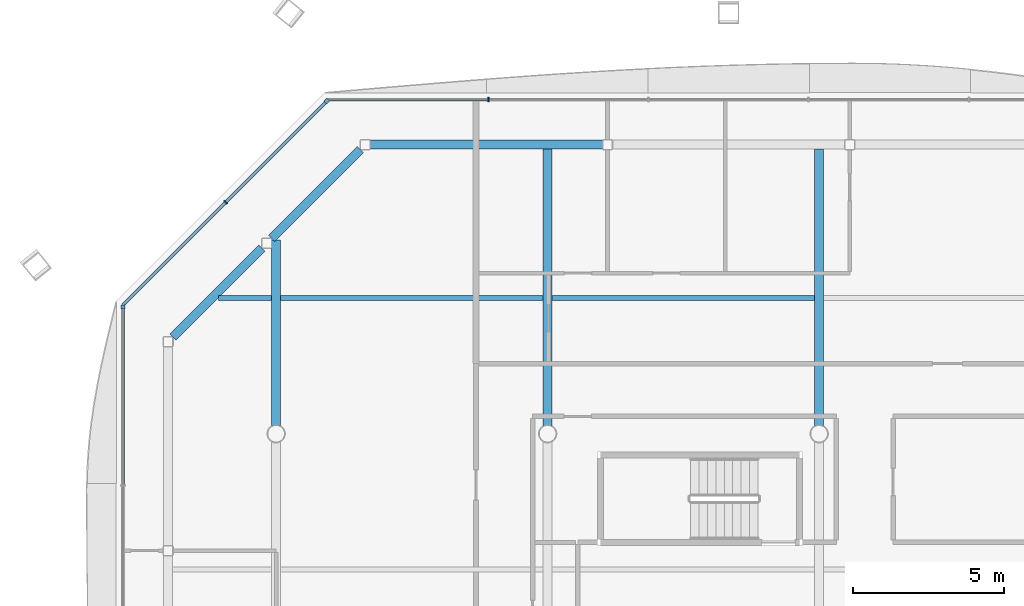
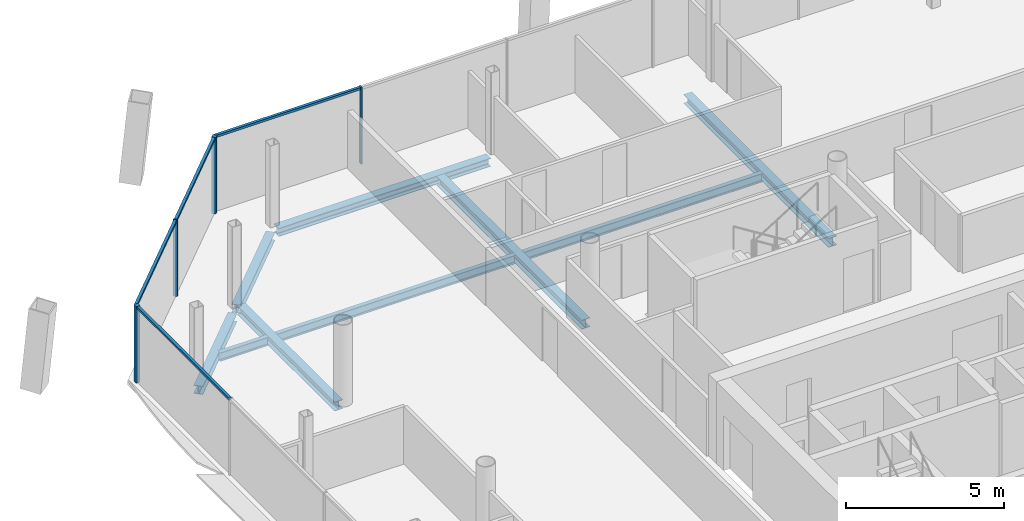
# One storey, part 10 of 20: 9 beams, 8 members, 3 elements without a shape of their own.
"""IFC4 building model written with IfcOpenShell, lengths in metres."""

from ifc_helpers import new_model, si_unit, direction, frame, origin, origin_2d, place, context, subcontext, project, spatial, rectangle, i_section, extrude, material, material_profile, profile_set, type_object, element, aggregate, save


model = new_model("IFC4")

# Units and contexts
model_context = context("Model", 3, precision=1e-05, world=origin(), true_north=direction((0.0, 1.0)))
body_context = subcontext(model_context, "Body", "Model", "MODEL_VIEW")
ifc_project = project(units=[si_unit("LENGTHUNIT", "METRE"), si_unit("AREAUNIT", "SQUARE_METRE"), si_unit("VOLUMEUNIT", "CUBIC_METRE"), si_unit("PLANEANGLEUNIT", "RADIAN"), si_unit("MASSUNIT", "GRAM", prefix="KILO")], contexts=[model_context])

# Site, building, storey
site_placement = place(None, origin())
site = spatial("IfcSite", under=ifc_project, at=site_placement, CompositionType="ELEMENT")
building_placement = place(site_placement, origin())
building = spatial("IfcBuilding", under=site, at=building_placement, Name="Tskaro Facet Tower", CompositionType="ELEMENT")
storey_placement = place(building_placement, frame((0.0, 0.0, 194.25)))
storey = spatial("IfcBuildingStorey", under=building, at=storey_placement, Name="L49", CompositionType="ELEMENT", Elevation=194.25)

# Curtain wall, member
ifc_material_1 = material(Name="Bronze anodised aluminium 6063-T6", Category="aluminium")
curtain_wall_type = type_object("IfcCurtainWallType", Name="Bronze residence curtain wall (FW3)", PredefinedType="NOTDEFINED", material=ifc_material_1)
curtain_wall_1_placement = place(storey_placement, origin())
curtain_wall_1 = element("IfcCurtainWall", 1, at=curtain_wall_1_placement, inside=storey, type_object=curtain_wall_type, Name="FW3 north-west facet L49", PredefinedType="NOTDEFINED")
ifc_material_profile_1 = material_profile(ifc_material_1, rectangle(XDim=0.139892578125, YDim=0.139892578125, at=origin_2d()), Name="Corner post 140x140")
ifc_profile_set_1 = profile_set([ifc_material_profile_1], Name="Bronze anodised aluminium 6063-T6")
member_type_1 = type_object("IfcMemberType", Name="FW3 bronze corner post 140x140", PredefinedType="MULLION", material=ifc_profile_set_1)
member_1_placement = place(storey_placement, frame((-16.319580078125, 20.030517578125, 0.0), z_axis=(0.0, 0.0, 1.0), x_axis=(-0.707106781187, -0.707106781187, 0.0)))
member_1 = element("IfcMember", 2, at=member_1_placement, type_object=member_type_1, Name="FW3 north-west corner post", PredefinedType="MULLION", context=body_context, shape_type="SweptSolid", body=[
    extrude(rectangle(XDim=0.139892578125, YDim=0.139892578125, at=origin_2d()), origin(), (0.0, 0.0, 1.0), 2.949951171875),
])

curtain_wall_2_placement = place(storey_placement, origin())
curtain_wall_2 = element("IfcCurtainWall", 3, at=curtain_wall_2_placement, inside=storey, type_object=curtain_wall_type, Name="FW3 west facet L49", PredefinedType="NOTDEFINED")
member_2_placement = place(storey_placement, frame((-23.080078125, 13.199951171875, 0.0), z_axis=(0.0, 0.0, 1.0), x_axis=(0.0, -1.0, 0.0)))
member_2 = element("IfcMember", 4, at=member_2_placement, type_object=member_type_1, Name="FW3 west corner post", PredefinedType="MULLION", context=body_context, shape_type="SweptSolid", body=[
    extrude(rectangle(XDim=0.139892578125, YDim=0.139892578125, at=origin_2d()), origin(), (0.0, 0.0, 1.0), 2.949951171875),
])

curtain_wall_3_placement = place(storey_placement, origin())
curtain_wall_3 = element("IfcCurtainWall", 5, at=curtain_wall_3_placement, inside=storey, type_object=curtain_wall_type, Name="FW3 north facet L49", PredefinedType="NOTDEFINED")
ifc_material_profile_2 = material_profile(ifc_material_1, rectangle(XDim=0.050048828125, YDim=0.139892578125, at=origin_2d()), Name="Mullion 50x140")
ifc_profile_set_2 = profile_set([ifc_material_profile_2], Name="Bronze anodised aluminium 6063-T6")
member_type_2 = type_object("IfcMemberType", Name="FW3 bronze mullion 50x140", PredefinedType="MULLION", material=ifc_profile_set_2)
member_3_placement = place(storey_placement, frame((-10.9619140625, 20.080078125, 0.0), z_axis=(0.0, 0.0, 1.0), x_axis=(-1.0, 0.0, 0.0)))
member_3 = element("IfcMember", 6, at=member_3_placement, type_object=member_type_2, Name="FW3 north mullion 4", PredefinedType="MULLION", context=body_context, shape_type="SweptSolid", body=[
    extrude(rectangle(XDim=0.050048828125, YDim=0.139892578125, at=origin_2d()), origin(), (0.0, 0.0, 1.0), 2.949951171875),
])

# Member
member_4_placement = place(storey_placement, frame((-19.675048828125, 16.675048828125, 0.0), z_axis=(0.0, 0.0, 1.0), x_axis=(-0.707106781187, -0.707106781187, 0.0)))
member_4 = element("IfcMember", 7, at=member_4_placement, type_object=member_type_2, Name="FW3 north-west mullion 1", PredefinedType="MULLION", context=body_context, shape_type="SweptSolid", body=[
    extrude(rectangle(XDim=0.050048828125, YDim=0.139892578125, at=origin_2d()), origin(), (0.0, 0.0, 1.0), 2.949951171875),
])

ifc_material_profile_3 = material_profile(ifc_material_1, rectangle(XDim=0.10009765625, YDim=0.090087890625, at=origin_2d()), Name="Transom 100x90")
ifc_profile_set_3 = profile_set([ifc_material_profile_3], Name="Bronze anodised aluminium 6063-T6")
member_type_3 = type_object("IfcMemberType", Name="FW3 bronze transom 100x90", PredefinedType="USERDEFINED", material=ifc_profile_set_3)
member_5_placement = place(storey_placement, frame((-10.987060546875, 20.080078125, 2.905029296875), z_axis=(-1.0, 0.0, 0.0), x_axis=(0.0, -1.0, 0.0)))
member_5 = element("IfcMember", 8, at=member_5_placement, type_object=member_type_3, Name="FW3 north transom 5.1", ObjectType="TRANSOM", PredefinedType="USERDEFINED", context=body_context, shape_type="SweptSolid", body=[
    extrude(rectangle(XDim=0.10009765625, YDim=0.090087890625, at=origin_2d()), origin(), (0.0, 0.0, 1.0), 5.282958984375),
])

aggregate(curtain_wall_3, [member_3, member_5])

member_6_placement = place(storey_placement, frame((-16.368896484375, 19.98095703125, 2.905029296875), z_axis=(-0.707106781187, -0.707106781187, 0.0), x_axis=(0.707106781187, -0.707106781187, 0.0)))
member_6 = element("IfcMember", 9, at=member_6_placement, type_object=member_type_3, Name="FW3 north-west transom 1.1", ObjectType="TRANSOM", PredefinedType="USERDEFINED", context=body_context, shape_type="SweptSolid", body=[
    extrude(rectangle(XDim=0.10009765625, YDim=0.090087890625, at=origin_2d()), origin(), (0.0, 0.0, 1.0), 4.650390625),
])

member_7_placement = place(storey_placement, frame((-19.692626953125, 16.6572265625, 2.905029296875), z_axis=(-0.707132262971, -0.707081298484, 0.0), x_axis=(0.707081298484, -0.707132262971, 0.0)))
member_7 = element("IfcMember", 10, at=member_7_placement, type_object=member_type_3, Name="FW3 north-west transom 2.1", ObjectType="TRANSOM", PredefinedType="USERDEFINED", context=body_context, shape_type="SweptSolid", body=[
    extrude(rectangle(XDim=0.10009765625, YDim=0.090087890625, at=origin_2d()), origin(), (0.0, 0.0, 1.0), 4.79052734375),
])

aggregate(curtain_wall_1, [member_1, member_4, member_6, member_7])

member_8_placement = place(storey_placement, frame((-23.080078125, 13.1298828125, 2.905029296875), z_axis=(0.0, -1.0, 0.0), x_axis=(1.0, 0.0, 0.0)))
member_8 = element("IfcMember", 11, at=member_8_placement, type_object=member_type_3, Name="FW3 west transom 1.1", ObjectType="TRANSOM", PredefinedType="USERDEFINED", context=body_context, shape_type="SweptSolid", body=[
    extrude(rectangle(XDim=0.10009765625, YDim=0.090087890625, at=origin_2d()), origin(), (0.0, 0.0, 1.0), 5.8125),
])

aggregate(curtain_wall_2, [member_2, member_8])

# Beams
ifc_material_2 = material(Name="Steel S355J2", Category="steel")
ifc_material_profile_4 = material_profile(ifc_material_2, i_section(OverallWidth=0.300048828125, OverallDepth=0.320068359375, WebThickness=0.011474609375, FlangeThickness=0.0205078125, FilletRadius=0.027099609375, at=origin_2d()), Name="HE 320 B")
ifc_profile_set_4 = profile_set([ifc_material_profile_4], Name="Steel S355J2")
beam_type_1 = type_object("IfcBeamType", Name="HE 320 B ring beam", PredefinedType="BEAM", material=ifc_profile_set_4)
beam_1_placement = place(storey_placement, frame((-7.169921875, 18.5830078125, -0.300048828125), z_axis=(-1.0, 0.0, 0.0), x_axis=(0.0, -1.0, 0.0)))
element("IfcBeam", 12, at=beam_1_placement, inside=storey, type_object=beam_type_1, Name="HE 320 B EB14-4", PredefinedType="BEAM", context=body_context, shape_type="SweptSolid", body=[
    extrude(i_section(OverallWidth=0.300048828125, OverallDepth=0.320068359375, WebThickness=0.011474609375, FlangeThickness=0.0205078125, FilletRadius=0.027099609375, at=origin_2d()), origin(), (0.0, 0.0, 1.0), 7.72119140625),
])
for number, where, z_axis, x_axis, name in (
    (13, (-15.206787109375, 18.422119140625, -0.300048828125), (-0.706989603829, -0.70722393913, 0.0), (0.70722393913, -0.706989603829, 0.0), "HE 320 B EB15-4"),
    (14, (-18.474853515625, 15.153076171875, -0.300048828125), (-0.70722393913, -0.706989603829, 0.0), (0.706989603829, -0.70722393913, 0.0), "HE 320 B EB16-4"),
):
    element("IfcBeam", number, at=place(storey_placement, frame(where, z_axis=z_axis, x_axis=x_axis)), inside=storey, type_object=beam_type_1, Name=name, PredefinedType="BEAM", context=body_context, shape_type="SweptSolid", body=[
        extrude(i_section(OverallWidth=0.300048828125, OverallDepth=0.320068359375, WebThickness=0.011474609375, FlangeThickness=0.0205078125, FilletRadius=0.027099609375, at=origin_2d()), origin(), (0.0, 0.0, 1.0), 4.16748046875),
    ])
ifc_material_profile_5 = material_profile(ifc_material_2, i_section(OverallWidth=0.300048828125, OverallDepth=0.35009765625, WebThickness=0.010009765625, FlangeThickness=0.017578125, FilletRadius=0.027099609375, at=origin_2d()), Name="HE 360 A")
ifc_profile_set_5 = profile_set([ifc_material_profile_5], Name="Steel S355J2")
beam_type_2 = type_object("IfcBeamType", Name="HE 360 A girder", PredefinedType="BEAM", material=ifc_profile_set_5)
beam_2_placement = place(storey_placement, frame((-18.0, 9.27490234375, -0.31494140625), z_axis=(0.0, 1.0, 0.0), x_axis=(-1.0, 0.0, 0.0)))
element("IfcBeam", 15, at=beam_2_placement, inside=storey, type_object=beam_type_2, Name="HE 360 A GB2-4-4", PredefinedType="BEAM", context=body_context, shape_type="SweptSolid", body=[
    extrude(i_section(OverallWidth=0.300048828125, OverallDepth=0.35009765625, WebThickness=0.010009765625, FlangeThickness=0.017578125, FilletRadius=0.027099609375, at=origin_2d()), origin(), (0.0, 0.0, 1.0), 6.14208984375),
])
for number, where, z_axis, x_axis, name in (
    (16, (-9.0, 9.27490234375, -0.31494140625), (0.0, 1.0, 0.0), (-1.0, 0.0, 0.0), "HE 360 A GB3-3-4"),
    (17, (0.0, 9.27490234375, -0.31494140625), (0.0, 1.0, 0.0), (-1.0, 0.0, 0.0), "HE 360 A GB4-3-4"),
):
    element("IfcBeam", number, at=place(storey_placement, frame(where, z_axis=z_axis, x_axis=x_axis)), inside=storey, type_object=beam_type_2, Name=name, PredefinedType="BEAM", context=body_context, shape_type="SweptSolid", body=[
        extrude(i_section(OverallWidth=0.300048828125, OverallDepth=0.35009765625, WebThickness=0.010009765625, FlangeThickness=0.017578125, FilletRadius=0.027099609375, at=origin_2d()), origin(), (0.0, 0.0, 1.0), 9.158203125),
    ])
ifc_material_profile_6 = material_profile(ifc_material_2, i_section(OverallWidth=0.159912109375, OverallDepth=0.330078125, WebThickness=0.007568359375, FlangeThickness=0.011474609375, FilletRadius=0.01806640625, at=origin_2d()), Name="IPE 330")
ifc_profile_set_6 = profile_set([ifc_material_profile_6], Name="Steel S355J2")
beam_type_3 = type_object("IfcBeamType", Name="IPE 330 secondary beam", PredefinedType="BEAM", material=ifc_profile_set_6)
beam_3_placement = place(storey_placement, frame((-19.9169921875, 13.5, -0.304931640625), z_axis=(1.0, 0.0, 0.0), x_axis=(0.0, 1.0, 0.0)))
element("IfcBeam", 18, at=beam_3_placement, inside=storey, type_object=beam_type_3, Name="IPE 330 SB5a-1-4", PredefinedType="BEAM", context=body_context, shape_type="SweptSolid", body=[
    extrude(i_section(OverallWidth=0.159912109375, OverallDepth=0.330078125, WebThickness=0.007568359375, FlangeThickness=0.011474609375, FilletRadius=0.01806640625, at=origin_2d()), origin(), (0.0, 0.0, 1.0), 1.76708984375),
])
for number, where, z_axis, x_axis, name in (
    (19, (-17.85009765625, 13.5, -0.304931640625), (1.0, 0.0, 0.0), (0.0, 1.0, 0.0), "IPE 330 SB5a-2-4"),
    (20, (-8.85009765625, 13.5, -0.304931640625), (1.0, 0.0, 0.0), (0.0, 1.0, 0.0), "IPE 330 SB5a-3-4"),
):
    element("IfcBeam", number, at=place(storey_placement, frame(where, z_axis=z_axis, x_axis=x_axis)), inside=storey, type_object=beam_type_3, Name=name, PredefinedType="BEAM", context=body_context, shape_type="SweptSolid", body=[
        extrude(i_section(OverallWidth=0.159912109375, OverallDepth=0.330078125, WebThickness=0.007568359375, FlangeThickness=0.011474609375, FilletRadius=0.01806640625, at=origin_2d()), origin(), (0.0, 0.0, 1.0), 8.7001953125),
    ])

save(model, "model.ifc")
